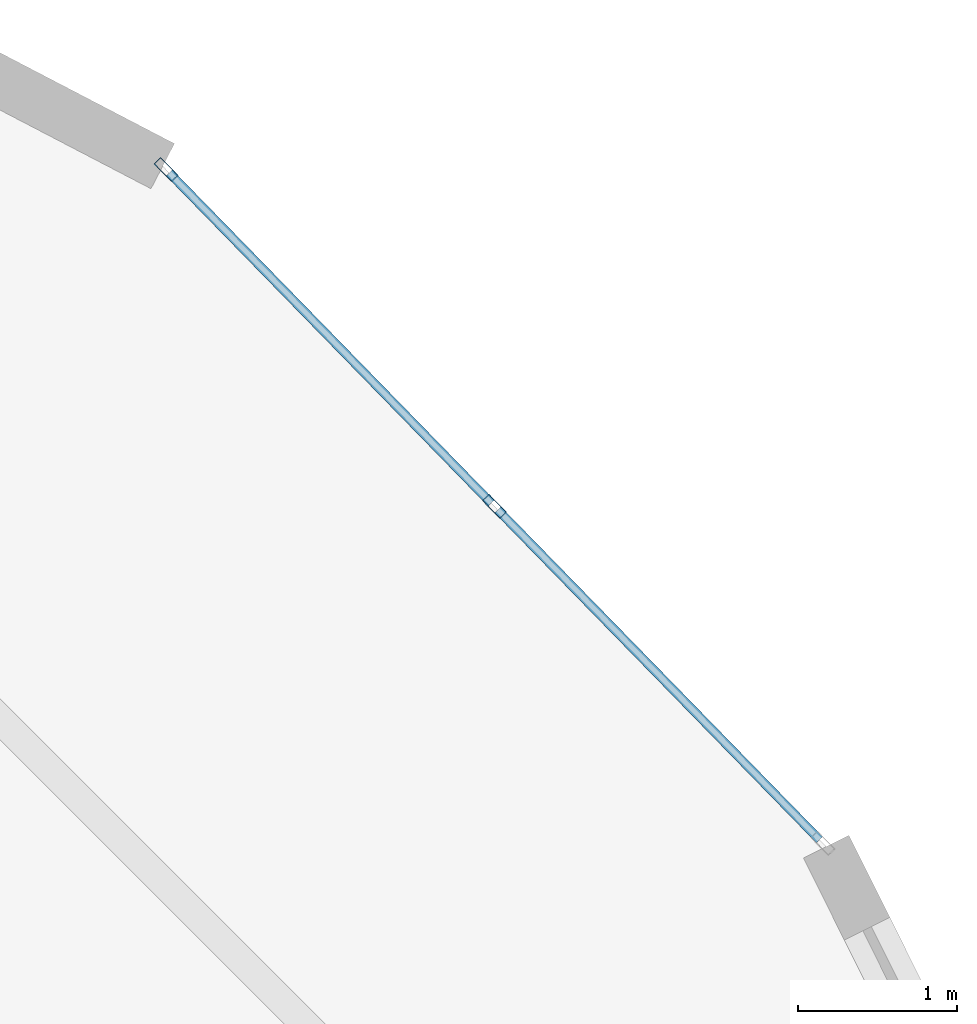
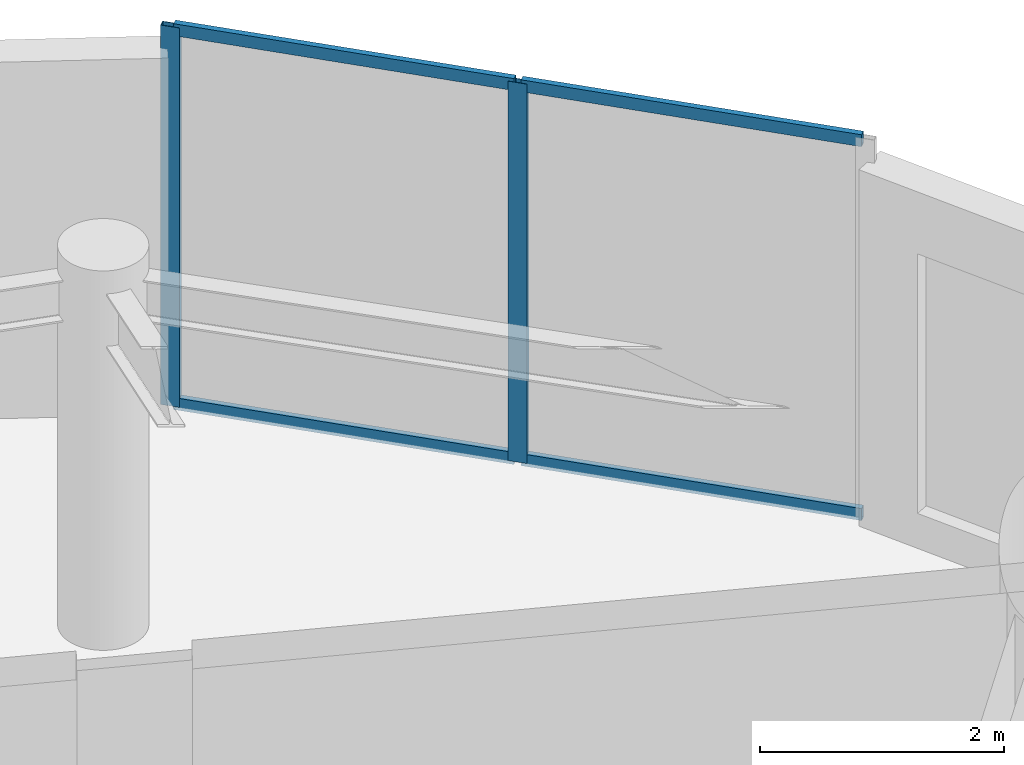
# One storey, part 15 of 22: 6 members, 1 element without a shape of its own.
"""IFC4 building model written with IfcOpenShell, lengths in metres."""

from ifc_helpers import new_model, si_unit, direction, frame, origin, origin_2d, place, context, subcontext, project, spatial, hollow_rectangle, extrude, source, transform, mapped, material, layer, layer_set, material_profile, profile_set, type_object, element, aggregate, save


model = new_model("IFC4")

# Units and contexts
model_context = context("Model", 3, precision=1e-05, world=origin(), true_north=direction((0.0, 1.0)))
body_context = subcontext(model_context, "Body", "Model", "MODEL_VIEW")
ifc_project = project(units=[si_unit("LENGTHUNIT", "METRE"), si_unit("AREAUNIT", "SQUARE_METRE"), si_unit("VOLUMEUNIT", "CUBIC_METRE"), si_unit("PLANEANGLEUNIT", "RADIAN"), si_unit("MASSUNIT", "GRAM", prefix="KILO")], contexts=[model_context])

# Site, building, storey
site_placement = place(None, origin())
site = spatial("IfcSite", under=ifc_project, at=site_placement, CompositionType="ELEMENT")
building_placement = place(site_placement, origin())
building = spatial("IfcBuilding", under=site, at=building_placement, Name="Solvirekh Grand Hotel", CompositionType="ELEMENT")
storey_placement = place(building_placement, frame((0.0, 0.0, 278.199951171875)))
storey = spatial("IfcBuildingStorey", under=building, at=storey_placement, Name="L72", CompositionType="ELEMENT", Elevation=278.199951171875)

# Curtain wall, members
ifc_material = material(Name="Anodized Bronze Aluminium 6063-T6", Category="aluminium")
ifc_layer = layer(ifc_material, 0.159912109375)
ifc_layer_set = layer_set([ifc_layer], Name="Anodized Bronze Aluminium 6063-T6")
curtain_wall_type = type_object("IfcCurtainWallType", Name="CW_Sys4_HighZoneFlushBronzeCW", PredefinedType="NOTDEFINED", material=ifc_layer_set)
curtain_wall_placement = place(storey_placement, origin())
curtain_wall = element("IfcCurtainWall", 1, at=curtain_wall_placement, inside=storey, type_object=curtain_wall_type, Name="L72 unitised bronze-glass curtain wall CW-L72-C08", PredefinedType="NOTDEFINED")
ifc_material_profile_1 = material_profile(ifc_material, hollow_rectangle(XDim=0.06005859375, YDim=0.159912109375, WallThickness=0.0048828125, at=origin_2d()), Name="ALU RHS 160X60X5")
ifc_profile_set_1 = profile_set([ifc_material_profile_1], Name="Anodized Bronze Aluminium 6063-T6")
member_type_1 = type_object("IfcMemberType", Name="CWMullion_Sys4", PredefinedType="MULLION", material=ifc_profile_set_1)
shared_shape_1 = source(origin(), body_context, "Body", "SweptSolid", [
    extrude(hollow_rectangle(XDim=0.06005859375, YDim=0.159912109375, WallThickness=0.0048828125, at=origin_2d()), origin(), (0.0, 0.0, 1.0), 3.800048828125),
])
member_1_placement = place(storey_placement, frame((11.85009765625, 13.70947265625, 0.0), z_axis=(0.0, 0.0, 1.0), x_axis=(-0.715989699627, -0.698110843655, 0.0)))
member_1 = element("IfcMember", 2, at=member_1_placement, type_object=member_type_1, Name="U04 mullion 2", PredefinedType="MULLION", context=body_context, shape_type="MappedRepresentation", body=[
    mapped(shared_shape_1, transform((0.0, 0.0, 0.0), x_axis=(1.0, 0.0, 0.0), y_axis=(0.0, 1.0, 0.0), z_axis=(0.0, 0.0, 1.0), scale=1.0)),
])
member_2_placement = place(storey_placement, frame((9.781982421875, 15.83056640625, 0.0), z_axis=(0.0, 0.0, 1.0), x_axis=(-0.715989699627, -0.698110843655, 0.0)))
member_2 = element("IfcMember", 3, at=member_2_placement, type_object=member_type_1, Name="U04 mullion 3", PredefinedType="MULLION", context=body_context, shape_type="MappedRepresentation", body=[
    mapped(shared_shape_1, transform((0.0, 0.0, 0.0), x_axis=(1.0, 0.0, 0.0), y_axis=(0.0, 1.0, 0.0), z_axis=(0.0, 0.0, 1.0), scale=1.0)),
])
ifc_material_profile_2 = material_profile(ifc_material, hollow_rectangle(XDim=0.054931640625, YDim=0.1201171875, WallThickness=0.00390625, at=origin_2d()), Name="ALU RHS 120X55X4")
ifc_profile_set_2 = profile_set([ifc_material_profile_2], Name="Anodized Bronze Aluminium 6063-T6")
member_type_2 = type_object("IfcMemberType", Name="CWTransom_Sys4", PredefinedType="USERDEFINED", material=ifc_profile_set_2)
shared_shape_2 = source(origin(), body_context, "Body", "SweptSolid", [
    extrude(hollow_rectangle(XDim=0.054931640625, YDim=0.1201171875, WallThickness=0.00390625, at=origin_2d()), origin(), (0.0, 0.0, 1.0), 2.90234375),
])
member_3_placement = place(storey_placement, frame((11.8291015625, 13.73095703125, 0.027587890625), z_axis=(-0.698091511403, 0.716008548627, 0.0), x_axis=(-0.716008548627, -0.698091511403, 0.0)))
member_3 = element("IfcMember", 4, at=member_3_placement, type_object=member_type_2, Name="U04 transom 2.1", ObjectType="TRANSOM", PredefinedType="USERDEFINED", context=body_context, shape_type="MappedRepresentation", body=[
    mapped(shared_shape_2, transform((0.0, 0.0, 0.0), x_axis=(1.0, 0.0, 0.0), y_axis=(0.0, 1.0, 0.0), z_axis=(0.0, 0.0, 1.0), scale=1.0)),
])
member_4_placement = place(storey_placement, frame((11.8291015625, 13.73095703125, 3.7724609375), z_axis=(-0.698091511403, 0.716008548627, 0.0), x_axis=(-0.716008548627, -0.698091511403, 0.0)))
member_4 = element("IfcMember", 5, at=member_4_placement, type_object=member_type_2, Name="U04 transom 2.2", ObjectType="TRANSOM", PredefinedType="USERDEFINED", context=body_context, shape_type="MappedRepresentation", body=[
    mapped(shared_shape_2, transform((0.0, 0.0, 0.0), x_axis=(1.0, 0.0, 0.0), y_axis=(0.0, 1.0, 0.0), z_axis=(0.0, 0.0, 1.0), scale=1.0)),
])
shared_shape_3 = source(origin(), body_context, "Body", "SweptSolid", [
    extrude(hollow_rectangle(XDim=0.054931640625, YDim=0.1201171875, WallThickness=0.00390625, at=origin_2d()), origin(), (0.0, 0.0, 1.0), 2.902587890625),
])
member_5_placement = place(storey_placement, frame((13.897216796875, 11.60986328125, 0.027587890625), z_axis=(-0.698134631999, 0.715966504527, 0.0), x_axis=(-0.715966504527, -0.698134631999, 0.0)))
member_5 = element("IfcMember", 6, at=member_5_placement, type_object=member_type_2, Name="U04 transom 1.1", ObjectType="TRANSOM", PredefinedType="USERDEFINED", context=body_context, shape_type="MappedRepresentation", body=[
    mapped(shared_shape_3, transform((0.0, 0.0, 0.0), x_axis=(1.0, 0.0, 0.0), y_axis=(0.0, 1.0, 0.0), z_axis=(0.0, 0.0, 1.0), scale=1.0)),
])
member_6_placement = place(storey_placement, frame((13.897216796875, 11.60986328125, 3.7724609375), z_axis=(-0.698134631999, 0.715966504527, 0.0), x_axis=(-0.715966504527, -0.698134631999, 0.0)))
member_6 = element("IfcMember", 7, at=member_6_placement, type_object=member_type_2, Name="U04 transom 1.2", ObjectType="TRANSOM", PredefinedType="USERDEFINED", context=body_context, shape_type="MappedRepresentation", body=[
    mapped(shared_shape_3, transform((0.0, 0.0, 0.0), x_axis=(1.0, 0.0, 0.0), y_axis=(0.0, 1.0, 0.0), z_axis=(0.0, 0.0, 1.0), scale=1.0)),
])
aggregate(curtain_wall, [member_1, member_2, member_5, member_6, member_3, member_4])

save(model, "model.ifc")
